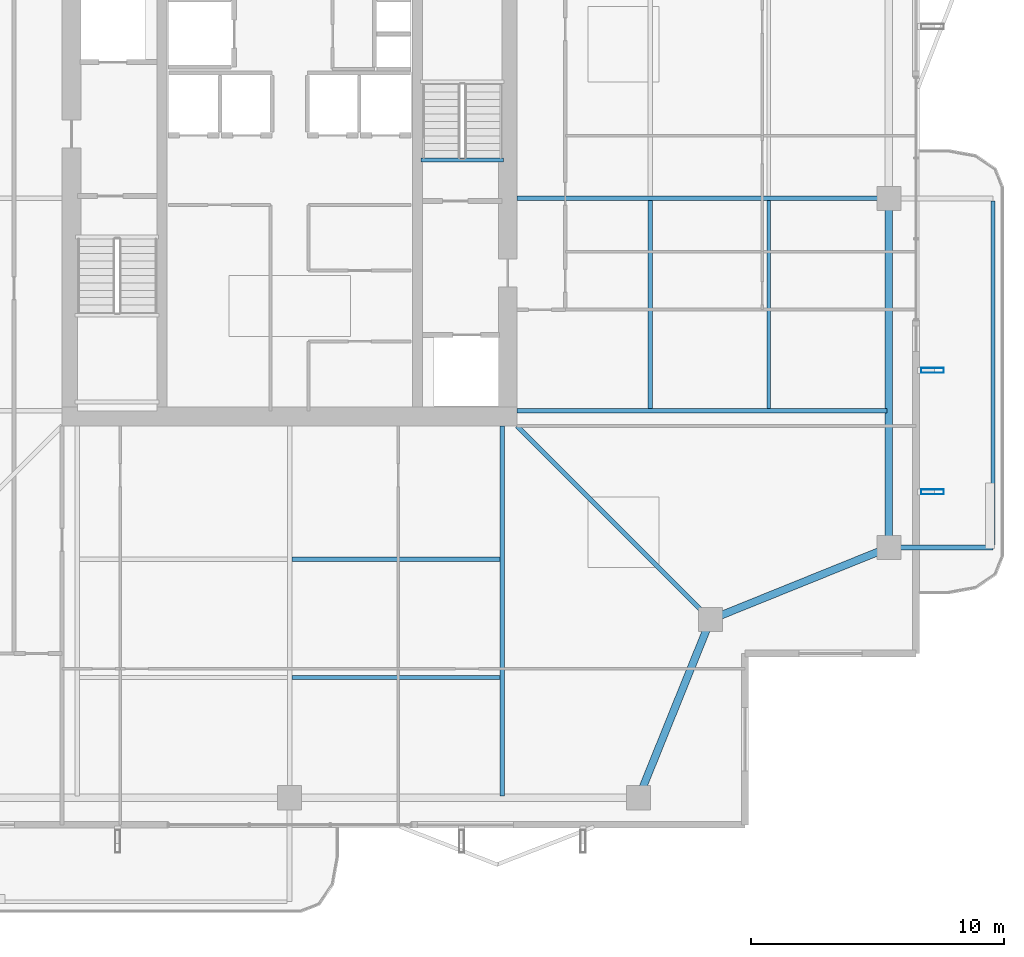
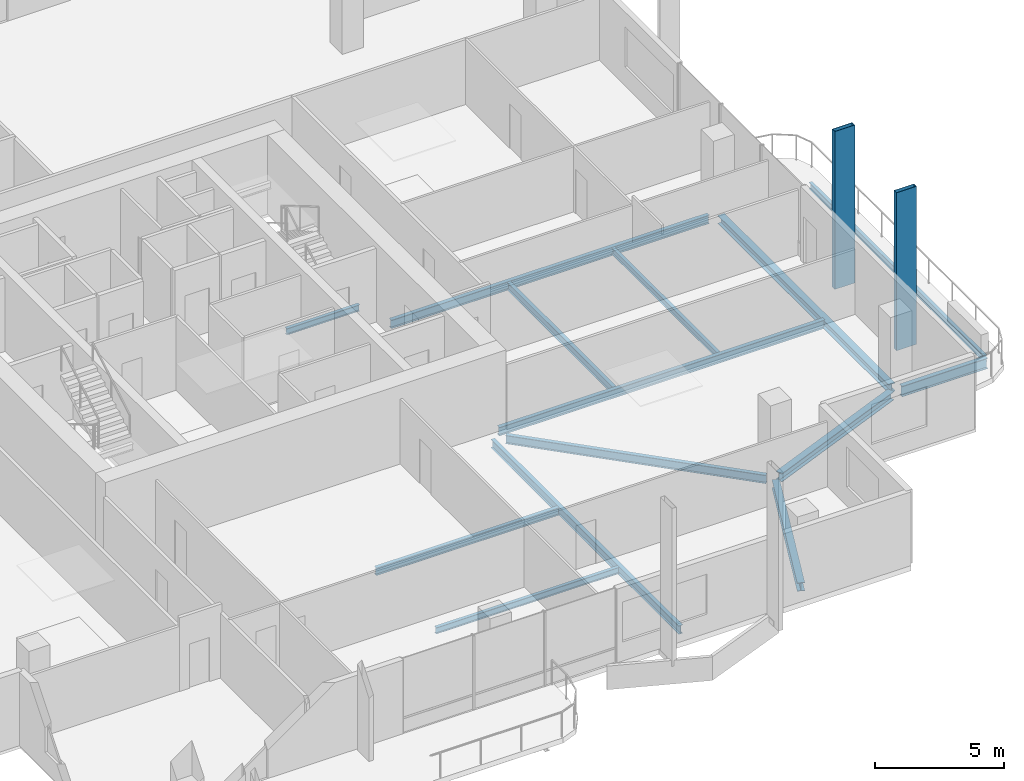
# One storey, part 9 of 25: 14 beams, 2 members.
"""IFC4 building model written with IfcOpenShell, lengths in metres."""

from ifc_helpers import new_model, si_unit, direction, frame, origin, origin_2d, place, context, subcontext, project, spatial, hollow_rectangle, i_section, extrude, material, material_profile, profile_set, type_object, element, save


model = new_model("IFC4")

# Units and contexts
model_context = context("Model", 3, precision=1e-05, world=origin(), true_north=direction((0.0, 1.0)))
body_context = subcontext(model_context, "Body", "Model", "MODEL_VIEW")
ifc_project = project(units=[si_unit("LENGTHUNIT", "METRE"), si_unit("AREAUNIT", "SQUARE_METRE"), si_unit("VOLUMEUNIT", "CUBIC_METRE"), si_unit("PLANEANGLEUNIT", "RADIAN"), si_unit("MASSUNIT", "GRAM", prefix="KILO")], contexts=[model_context])

# Site, building, storey
site_placement = place(None, origin())
site = spatial("IfcSite", under=ifc_project, at=site_placement, CompositionType="ELEMENT")
building_placement = place(site_placement, origin())
building = spatial("IfcBuilding", under=site, at=building_placement, Name="Belovzor Exchange Tower", CompositionType="ELEMENT")
storey_placement = place(building_placement, frame((0.0, 0.0, 265.35009765625)))
storey = spatial("IfcBuildingStorey", under=building, at=storey_placement, Name="L66", CompositionType="ELEMENT", Elevation=265.35009765625)

# Beams
ifc_material_1 = material(Name="Steel S355", Category="steel")
ifc_material_profile_1 = material_profile(ifc_material_1, i_section(OverallWidth=0.199951171875, OverallDepth=0.5, WebThickness=0.01025390625, FlangeThickness=0.01611328125, at=origin_2d()))
ifc_profile_set_1 = profile_set([ifc_material_profile_1], Name="Steel S355")
beam_type_1 = type_object("IfcBeamType", Name="Planted Balcony Cantilever Beam IPE 500", PredefinedType="BEAM", material=ifc_profile_set_1)
beam_1_placement = place(storey_placement, frame((52.760986328125, 15.0, -0.5), z_axis=(1.0, 0.0, 0.0), x_axis=(0.0, 1.0, 0.0)))
element("IfcBeam", 1, at=beam_1_placement, inside=storey, type_object=beam_type_1, Name="BC-500 Planted Balcony Cantilever Beam IPE 500", PredefinedType="BEAM", context=body_context, shape_type="SweptSolid", body=[
    extrude(i_section(OverallWidth=0.199951171875, OverallDepth=0.5, WebThickness=0.01025390625, FlangeThickness=0.01611328125, at=origin_2d()), origin(), (0.0, 0.0, 1.0), 3.85009765625),
])
ifc_material_2 = material(Name="Steel S355", Category="steel")
ifc_material_profile_2 = material_profile(ifc_material_2, i_section(OverallWidth=0.14990234375, OverallDepth=0.300048828125, WebThickness=0.007080078125, FlangeThickness=0.0107421875, at=origin_2d()))
ifc_profile_set_2 = profile_set([ifc_material_profile_2], Name="Steel S355")
beam_type_2 = type_object("IfcBeamType", Name="Planted Balcony Fascia Edge Beam IPE 300", PredefinedType="BEAM", material=ifc_profile_set_2)
beam_2_placement = place(storey_placement, frame((56.611083984375, 15.10009765625, -0.400146484375), z_axis=(0.0, 1.0, 0.0), x_axis=(-1.0, 0.0, 0.0)))
element("IfcBeam", 2, at=beam_2_placement, inside=storey, type_object=beam_type_2, Name="BC-300 Planted Balcony Fascia Edge Beam IPE 300", PredefinedType="BEAM", context=body_context, shape_type="SweptSolid", body=[
    extrude(i_section(OverallWidth=0.14990234375, OverallDepth=0.300048828125, WebThickness=0.007080078125, FlangeThickness=0.0107421875, at=origin_2d()), origin(), (0.0, 0.0, 1.0), 13.599853515625),
])
ifc_material_3 = material(Name="Steel S355", Category="steel")
ifc_material_profile_3 = material_profile(ifc_material_3, i_section(OverallWidth=0.169921875, OverallDepth=0.360107421875, WebThickness=0.008056640625, FlangeThickness=0.0126953125, at=origin_2d()))
ifc_profile_set_3 = profile_set([ifc_material_profile_3], Name="Steel S355")
beam_type_3 = type_object("IfcBeamType", Name="Secondary Infill Floor Joist IPE 360", PredefinedType="BEAM", material=ifc_profile_set_3)
beam_3_placement = place(storey_placement, frame((28.889892578125, 14.534912109375, -0.43017578125), z_axis=(1.0, 0.0, 0.0), x_axis=(0.0, 1.0, 0.0)))
element("IfcBeam", 3, at=beam_3_placement, inside=storey, type_object=beam_type_3, Name="FJ-360 Secondary Infill Floor Joist IPE 360", PredefinedType="BEAM", context=body_context, shape_type="SweptSolid", body=[
    extrude(i_section(OverallWidth=0.169921875, OverallDepth=0.360107421875, WebThickness=0.008056640625, FlangeThickness=0.0126953125, at=origin_2d()), origin(), (0.0, 0.0, 1.0), 8.22021484375),
])
beam_4_placement = place(storey_placement, frame((43.06494140625, 20.489990234375, -0.43017578125), z_axis=(0.0, 1.0, 0.0), x_axis=(-1.0, 0.0, 0.0)))
element("IfcBeam", 4, at=beam_4_placement, inside=storey, type_object=beam_type_3, Name="FJ-360 Secondary Infill Floor Joist IPE 360", PredefinedType="BEAM", context=body_context, shape_type="SweptSolid", body=[
    extrude(i_section(OverallWidth=0.169921875, OverallDepth=0.360107421875, WebThickness=0.008056640625, FlangeThickness=0.0126953125, at=origin_2d()), origin(), (0.0, 0.0, 1.0), 8.219970703125),
])
ifc_material_4 = material(Name="Steel S355", Category="steel")
ifc_material_profile_4 = material_profile(ifc_material_4, i_section(OverallWidth=0.14990234375, OverallDepth=0.300048828125, WebThickness=0.007080078125, FlangeThickness=0.0107421875, at=origin_2d()))
ifc_profile_set_4 = profile_set([ifc_material_profile_4], Name="Steel S355")
beam_type_4 = type_object("IfcBeamType", Name="Secondary Trim Floor Joist IPE 300", PredefinedType="BEAM", material=ifc_profile_set_4)
beam_5_placement = place(storey_placement, frame((37.260009765625, 30.320068359375, -0.400146484375), z_axis=(-1.0, 0.0, 0.0), x_axis=(0.0, -1.0, 0.0)))
element("IfcBeam", 5, at=beam_5_placement, inside=storey, type_object=beam_type_4, Name="FJ-300 Secondary Trim Floor Joist IPE 300", PredefinedType="BEAM", context=body_context, shape_type="SweptSolid", body=[
    extrude(i_section(OverallWidth=0.14990234375, OverallDepth=0.300048828125, WebThickness=0.007080078125, FlangeThickness=0.0107421875, at=origin_2d()), origin(), (0.0, 0.0, 1.0), 3.27001953125),
])
beam_6_placement = place(storey_placement, frame((28.889892578125, 9.85498046875, -0.400146484375), z_axis=(1.0, 0.0, 0.0), x_axis=(0.0, 1.0, 0.0)))
element("IfcBeam", 6, at=beam_6_placement, inside=storey, type_object=beam_type_4, Name="FJ-300 Secondary Trim Floor Joist IPE 300", PredefinedType="BEAM", context=body_context, shape_type="SweptSolid", body=[
    extrude(i_section(OverallWidth=0.14990234375, OverallDepth=0.300048828125, WebThickness=0.007080078125, FlangeThickness=0.0107421875, at=origin_2d()), origin(), (0.0, 0.0, 1.0), 8.22021484375),
])
beam_7_placement = place(storey_placement, frame((47.7451171875, 20.489990234375, -0.400146484375), z_axis=(0.0, 1.0, 0.0), x_axis=(-1.0, 0.0, 0.0)))
element("IfcBeam", 7, at=beam_7_placement, inside=storey, type_object=beam_type_4, Name="FJ-300 Secondary Trim Floor Joist IPE 300", PredefinedType="BEAM", context=body_context, shape_type="SweptSolid", body=[
    extrude(i_section(OverallWidth=0.14990234375, OverallDepth=0.300048828125, WebThickness=0.007080078125, FlangeThickness=0.0107421875, at=origin_2d()), origin(), (0.0, 0.0, 1.0), 8.219970703125),
])

# Members
ifc_material_5 = material(Name="Extruded Architectural Terracotta on Steel S355 Carrier", Category="masonry")
ifc_material_profile_5 = material_profile(ifc_material_5, hollow_rectangle(XDim=0.199951171875, YDim=0.89990234375, WallThickness=0.011962890625, at=origin_2d()))
ifc_profile_set_5 = profile_set([ifc_material_profile_5], Name="Extruded Architectural Terracotta on Steel S355 Carrier")
member_type = type_object("IfcMemberType", Name="Sweeping Terracotta Baguette Fin Assembly 950", PredefinedType="USERDEFINED", material=ifc_profile_set_5)
for number, where, z_axis, x_axis, name in (
    (8, (54.22509765625, 17.199951171875, -0.25), (0.0, 0.0, 1.0), (0.0, 1.0, 0.0), "FIN-TC095 Terracotta Facade Fin L66 E1"),
    (9, (54.22509765625, 22.0, -0.25), (0.0, 0.0, 1.0), (0.0, 1.0, 0.0), "FIN-TC095 Terracotta Facade Fin L66 E2"),
):
    element("IfcMember", number, at=place(storey_placement, frame(where, z_axis=z_axis, x_axis=x_axis)), inside=storey, type_object=member_type, Name=name, ObjectType="FIN", PredefinedType="USERDEFINED", context=body_context, shape_type="SweptSolid", body=[
        extrude(hollow_rectangle(XDim=0.199951171875, YDim=0.89990234375, WallThickness=0.011962890625, at=origin_2d()), origin(), (0.0, 0.0, 1.0), 7.5),
    ])

# Beams
ifc_material_6 = material(Name="Steel S355", Category="steel")
ifc_material_profile_6 = material_profile(ifc_material_6, i_section(OverallWidth=0.300048828125, OverallDepth=0.39990234375, WebThickness=0.013427734375, FlangeThickness=0.02392578125, at=origin_2d()))
ifc_profile_set_6 = profile_set([ifc_material_profile_6], Name="Steel S355")
beam_type_5 = type_object("IfcBeamType", Name="Zone 5 Primary Girder HEB 400", PredefinedType="BEAM", material=ifc_profile_set_6)
beam_8_placement = place(storey_placement, frame((42.697998046875, 5.342041015625, -0.4501953125), z_axis=(0.374758283536, 0.927122553345, 0.0), x_axis=(-0.927122553345, 0.374758283536, 0.0)))
element("IfcBeam", 10, at=beam_8_placement, inside=storey, type_object=beam_type_5, Name="FG-Z5 Zone 5 Primary Girder HEB 400", PredefinedType="BEAM", context=body_context, shape_type="SweptSolid", body=[
    extrude(i_section(OverallWidth=0.300048828125, OverallDepth=0.39990234375, WebThickness=0.013427734375, FlangeThickness=0.02392578125, at=origin_2d()), origin(), (0.0, 0.0, 1.0), 7.08203125),
])
beam_9_placement = place(storey_placement, frame((45.69189453125, 12.248046875, -0.4501953125), z_axis=(0.927127394661, 0.374746306278, 0.0), x_axis=(-0.374746306278, 0.927127394661, 0.0)))
element("IfcBeam", 11, at=beam_9_placement, inside=storey, type_object=beam_type_5, Name="FG-Z5 Zone 5 Primary Girder HEB 400", PredefinedType="BEAM", context=body_context, shape_type="SweptSolid", body=[
    extrude(i_section(OverallWidth=0.300048828125, OverallDepth=0.39990234375, WebThickness=0.013427734375, FlangeThickness=0.02392578125, at=origin_2d()), origin(), (0.0, 0.0, 1.0), 7.082275390625),
])
beam_10_placement = place(storey_placement, frame((52.5, 15.260986328125, -0.4501953125), z_axis=(0.0, 1.0, 0.0), x_axis=(-1.0, 0.0, 0.0)))
element("IfcBeam", 12, at=beam_10_placement, inside=storey, type_object=beam_type_5, Name="FG-Z5 Zone 5 Primary Girder HEB 400", PredefinedType="BEAM", context=body_context, shape_type="SweptSolid", body=[
    extrude(i_section(OverallWidth=0.300048828125, OverallDepth=0.39990234375, WebThickness=0.013427734375, FlangeThickness=0.02392578125, at=origin_2d()), origin(), (0.0, 0.0, 1.0), 13.278076171875),
])
ifc_material_7 = material(Name="Steel S355", Category="steel")
ifc_material_profile_7 = material_profile(ifc_material_7, i_section(OverallWidth=0.179931640625, OverallDepth=0.39990234375, WebThickness=0.008544921875, FlangeThickness=0.013427734375, at=origin_2d()))
ifc_profile_set_7 = profile_set([ifc_material_profile_7], Name="Steel S355")
beam_type_6 = type_object("IfcBeamType", Name="Zone 5-6 Radial Composite Floor Beam IPE 400", PredefinedType="BEAM", material=ifc_profile_set_7)
for number, where, z_axis, x_axis, name in (
    (13, (37.199951171875, 19.800048828125, -0.4501953125), (0.0, -1.0, 0.0), (1.0, 0.0, 0.0), "FB-400 Zone 5-6 Radial Composite Floor Beam IPE 400"),
    (14, (37.800048828125, 20.39990234375, -0.4501953125), (1.0, 0.0, 0.0), (0.0, 1.0, 0.0), "FB-400 Zone 5-6 Radial Composite Floor Beam IPE 400"),
):
    element("IfcBeam", number, at=place(storey_placement, frame(where, z_axis=z_axis, x_axis=x_axis)), inside=storey, type_object=beam_type_6, Name=name, PredefinedType="BEAM", context=body_context, shape_type="SweptSolid", body=[
        extrude(i_section(OverallWidth=0.179931640625, OverallDepth=0.39990234375, WebThickness=0.008544921875, FlangeThickness=0.013427734375, at=origin_2d()), origin(), (0.0, 0.0, 1.0), 14.625),
    ])
beam_11_placement = place(storey_placement, frame((37.800048828125, 28.800048828125, -0.4501953125), z_axis=(1.0, 0.0, 0.0), x_axis=(0.0, 1.0, 0.0)))
element("IfcBeam", 15, at=beam_11_placement, inside=storey, type_object=beam_type_6, Name="FB-400 Zone 5-6 Radial Composite Floor Beam IPE 400", PredefinedType="BEAM", context=body_context, shape_type="SweptSolid", body=[
    extrude(i_section(OverallWidth=0.179931640625, OverallDepth=0.39990234375, WebThickness=0.008544921875, FlangeThickness=0.013427734375, at=origin_2d()), origin(), (0.0, 0.0, 1.0), 14.281982421875),
])
beam_12_placement = place(storey_placement, frame((37.800048828125, 19.800048828125, -0.4501953125), z_axis=(0.707141714703, -0.707071845944, 0.0), x_axis=(0.707071845944, 0.707141714703, 0.0)))
element("IfcBeam", 16, at=beam_12_placement, inside=storey, type_object=beam_type_6, Name="FB-400 Zone 5-6 Radial Composite Floor Beam IPE 400", PredefinedType="BEAM", context=body_context, shape_type="SweptSolid", body=[
    extrude(i_section(OverallWidth=0.179931640625, OverallDepth=0.39990234375, WebThickness=0.008544921875, FlangeThickness=0.013427734375, at=origin_2d()), origin(), (0.0, 0.0, 1.0), 10.48291015625),
])

save(model, "model.ifc")
